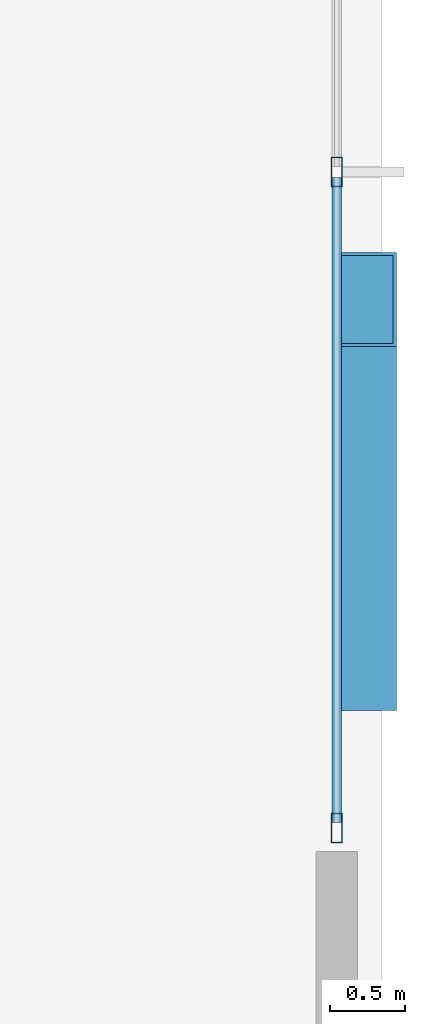
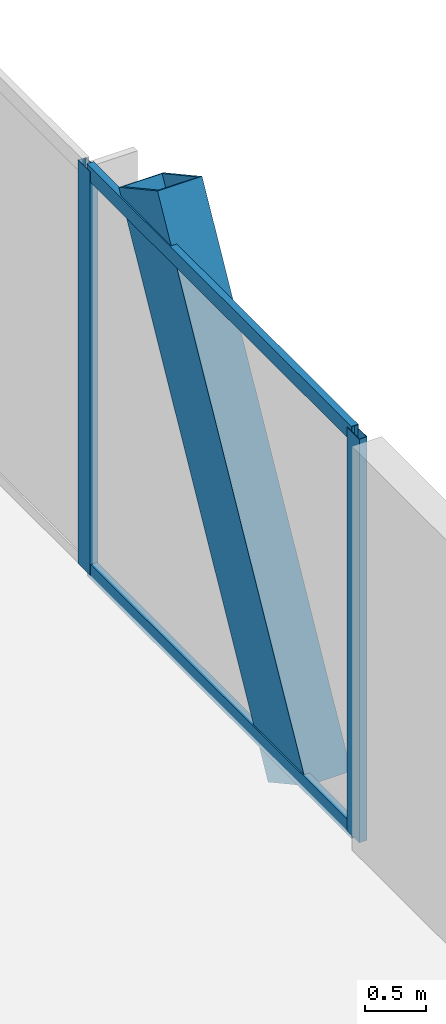
# One storey, part 20 of 42: 5 members, 1 element without a shape of its own.
"""IFC4 building model written with IfcOpenShell, lengths in metres."""

from ifc_helpers import new_model, si_unit, direction, frame, origin, origin_2d, place, context, subcontext, project, spatial, hollow_rectangle, extrude, material, layer, layer_set, material_profile, profile_set, type_object, element, aggregate, save


model = new_model("IFC4")

# Units and contexts
model_context = context("Model", 3, precision=1e-05, world=origin(), true_north=direction((0.0, 1.0)))
body_context = subcontext(model_context, "Body", "Model", "MODEL_VIEW")
ifc_project = project(units=[si_unit("LENGTHUNIT", "METRE"), si_unit("AREAUNIT", "SQUARE_METRE"), si_unit("VOLUMEUNIT", "CUBIC_METRE"), si_unit("PLANEANGLEUNIT", "RADIAN"), si_unit("MASSUNIT", "GRAM", prefix="KILO")], contexts=[model_context])

# Site, building, storey
site_placement = place(None, origin())
site = spatial("IfcSite", under=ifc_project, at=site_placement, CompositionType="ELEMENT")
building_placement = place(site_placement, origin())
building = spatial("IfcBuilding", under=site, at=building_placement, Name="Orvanel Arch Residences", CompositionType="ELEMENT")
storey_placement = place(building_placement, frame((0.0, 0.0, 9.800048828125)))
storey = spatial("IfcBuildingStorey", under=building, at=storey_placement, Name="L02", CompositionType="ELEMENT", Elevation=9.800048828125)

# Member
ifc_material_1 = material(Name="Structural steel AS/NZS 3678 Grade 350", Category="steel")
ifc_material_profile_1 = material_profile(ifc_material_1, hollow_rectangle(XDim=0.419921875, YDim=0.719970703125, WallThickness=0.02490234375, at=origin_2d()), Name="RHS720x420x25")
ifc_profile_set_1 = profile_set([ifc_material_profile_1], Name="Structural steel AS/NZS 3678 Grade 350")
member_type_1 = type_object("IfcMemberType", Name="BR-720RHS-EXT", PredefinedType="BRACE", material=ifc_profile_set_1)
member_1_placement = place(storey_placement, frame((64.639892578125, 19.781005859375, -0.150146484375), z_axis=(0.0, 0.480018403674, 0.877258418104), x_axis=(-1.0, 0.0, 0.0)))
element("IfcMember", 1, at=member_1_placement, inside=storey, type_object=member_type_1, Name="L02 Podium Multi-Storey V-Strut Pair E1 Leg 2", PredefinedType="BRACE", context=body_context, shape_type="SweptSolid", body=[
    extrude(hollow_rectangle(XDim=0.419921875, YDim=0.719970703125, WallThickness=0.02490234375, at=origin_2d()), origin(), (0.0, 0.0, 1.0), 5.07275390625),
])

# Curtain wall, members
ifc_material_2 = material(Name="Bronze-anodised aluminium AA6063-T6", Category="aluminium")
ifc_layer = layer(ifc_material_2, 0.199951171875)
ifc_layer_set = layer_set([ifc_layer], Name="Bronze-anodised aluminium AA6063-T6")
curtain_wall_type = type_object("IfcCurtainWallType", Name="CW1-POD-SYS", PredefinedType="NOTDEFINED", material=ifc_layer_set)
curtain_wall_placement = place(storey_placement, origin())
curtain_wall = element("IfcCurtainWall", 2, at=curtain_wall_placement, inside=storey, type_object=curtain_wall_type, Name="L02 CW1-POD-SYS Unitised Curtain Wall", PredefinedType="NOTDEFINED")
ifc_material_profile_2 = material_profile(ifc_material_2, hollow_rectangle(XDim=0.074951171875, YDim=0.199951171875, WallThickness=0.0048828125, at=origin_2d()), Name="ALU200x75x5")
ifc_profile_set_2 = profile_set([ifc_material_profile_2], Name="Bronze-anodised aluminium AA6063-T6")
member_type_2 = type_object("IfcMemberType", Name="MUL-200x75", PredefinedType="MULLION", material=ifc_profile_set_2)
member_2_placement = place(storey_placement, frame((64.449951171875, 18.677490234375, 0.0), z_axis=(0.0, 0.0, 1.0), x_axis=(-1.0, 0.0, 0.0)))
member_2 = element("IfcMember", 3, at=member_2_placement, type_object=member_type_2, Name="CW-S1 mullion 1", PredefinedType="MULLION", context=body_context, shape_type="SweptSolid", body=[
    extrude(hollow_rectangle(XDim=0.074951171875, YDim=0.199951171875, WallThickness=0.0048828125, at=origin_2d()), origin(), (0.0, 0.0, 1.0), 4.02001953125),
])
member_3_placement = place(storey_placement, frame((64.449951171875, 23.070068359375, 0.0), z_axis=(0.0, 0.0, 1.0), x_axis=(-1.0, 0.0, 0.0)))
member_3 = element("IfcMember", 4, at=member_3_placement, type_object=member_type_2, Name="CW-S1 mullion 2", PredefinedType="MULLION", context=body_context, shape_type="SweptSolid", body=[
    extrude(hollow_rectangle(XDim=0.074951171875, YDim=0.199951171875, WallThickness=0.0048828125, at=origin_2d()), origin(), (0.0, 0.0, 1.0), 4.02001953125),
])
ifc_material_profile_3 = material_profile(ifc_material_2, hollow_rectangle(XDim=0.06494140625, YDim=0.14990234375, WallThickness=0.00390625, at=origin_2d()), Name="ALU150x65x4")
ifc_profile_set_3 = profile_set([ifc_material_profile_3], Name="Bronze-anodised aluminium AA6063-T6")
member_type_3 = type_object("IfcMemberType", Name="TRN-150x65", PredefinedType="USERDEFINED", material=ifc_profile_set_3)
member_4_placement = place(storey_placement, frame((64.449951171875, 18.715087890625, 0.032470703125), z_axis=(0.0, 1.0, 0.0), x_axis=(-1.0, 0.0, 0.0)))
member_4 = element("IfcMember", 5, at=member_4_placement, type_object=member_type_3, Name="CW-S1 transom 1.1", ObjectType="TRANSOM", PredefinedType="USERDEFINED", context=body_context, shape_type="SweptSolid", body=[
    extrude(hollow_rectangle(XDim=0.06494140625, YDim=0.14990234375, WallThickness=0.00390625, at=origin_2d()), origin(), (0.0, 0.0, 1.0), 4.3173828125),
])
member_5_placement = place(storey_placement, frame((64.449951171875, 18.715087890625, 3.987548828125), z_axis=(0.0, 1.0, 0.0), x_axis=(-1.0, 0.0, 0.0)))
member_5 = element("IfcMember", 6, at=member_5_placement, type_object=member_type_3, Name="CW-S1 transom 1.2", ObjectType="TRANSOM", PredefinedType="USERDEFINED", context=body_context, shape_type="SweptSolid", body=[
    extrude(hollow_rectangle(XDim=0.06494140625, YDim=0.14990234375, WallThickness=0.00390625, at=origin_2d()), origin(), (0.0, 0.0, 1.0), 4.3173828125),
])
aggregate(curtain_wall, [member_2, member_3, member_4, member_5])

save(model, "model.ifc")
